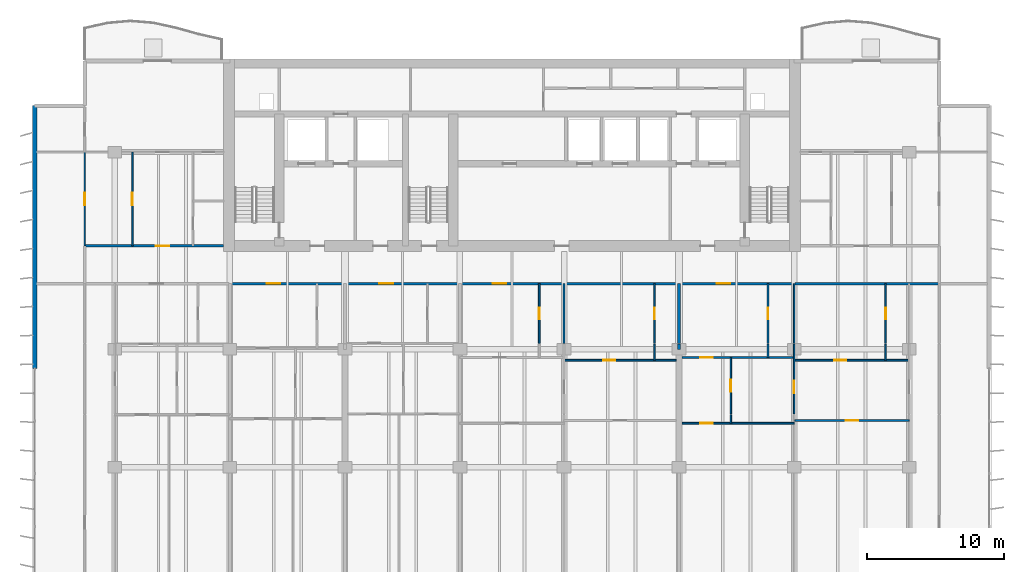
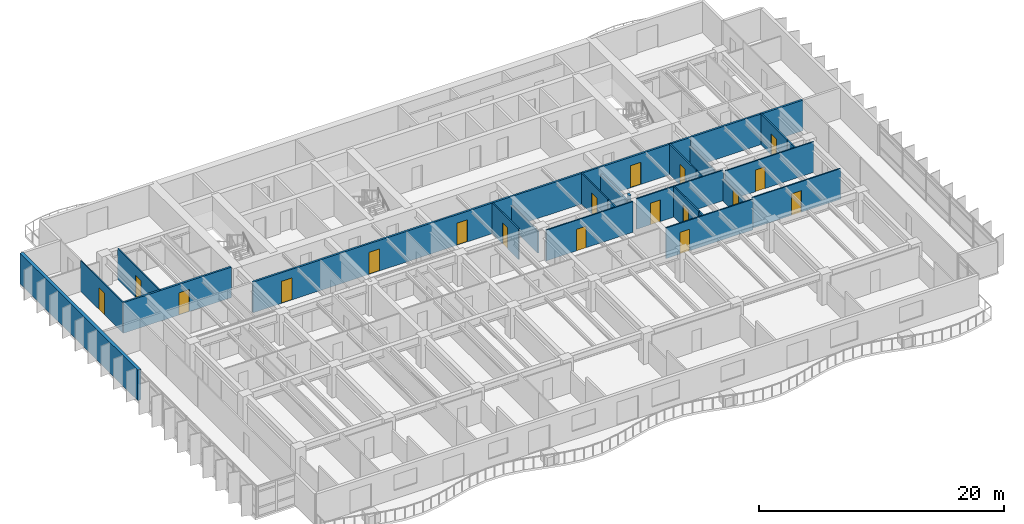
# One storey, part 9 of 16: 25 walls, 18 doors, 18 openings.
"""IFC4 building model written with IfcOpenShell, lengths in metres."""

from ifc_helpers import new_model, si_unit, direction, frame, frame_2d, origin, place, context, subcontext, project, spatial, rectangle, extrude, material, layer, layer_set, type_object, element, fill, save


model = new_model("IFC4")

# Units and contexts
model_context = context("Model", 3, precision=1e-05, world=origin(), true_north=direction((0.0, 1.0)))
body_context = subcontext(model_context, "Body", "Model", "MODEL_VIEW")
ifc_project = project(units=[si_unit("LENGTHUNIT", "METRE"), si_unit("AREAUNIT", "SQUARE_METRE"), si_unit("VOLUMEUNIT", "CUBIC_METRE"), si_unit("PLANEANGLEUNIT", "RADIAN"), si_unit("MASSUNIT", "GRAM", prefix="KILO")], contexts=[model_context])

# Site, building, storey
site_placement = place(None, origin())
site = spatial("IfcSite", under=ifc_project, at=site_placement, CompositionType="ELEMENT")
building_placement = place(site_placement, origin())
building = spatial("IfcBuilding", under=site, at=building_placement, Name="Caelmar Bay Residences", CompositionType="ELEMENT")
storey_placement = place(building_placement, frame((0.0, 0.0, 142.199951171875)))
storey = spatial("IfcBuildingStorey", under=building, at=storey_placement, Name="L39", CompositionType="ELEMENT", Elevation=142.199951171875)

# Wall, openings, doors
ifc_material_1 = material(Name="Double-stud acoustic fire-rated gypsum partition 180 mm")
ifc_layer_1 = layer(ifc_material_1, 0.179931640625)
ifc_layer_set_1 = layer_set([ifc_layer_1], Name="Double-stud acoustic fire-rated gypsum partition 180 mm")
wall_type_1 = type_object("IfcWallType", Name="W-COR-200", PredefinedType="PARTITIONING", material=ifc_layer_set_1)
wall_1_placement = place(storey_placement, frame((18.300048828125, 34.199951171875, 0.0), z_axis=(0.0, 0.0, 1.0), x_axis=(1.0, 0.0, 0.0)))
wall_1 = element("IfcWall", 1, at=wall_1_placement, inside=storey, type_object=wall_type_1, Name="L39 Partition Wall H109", PredefinedType="PARTITIONING", context=body_context, shape_type="SweptSolid", body=[
    extrude(rectangle(XDim=41.199951171875, YDim=0.179931640625, at=frame_2d((20.60009765625, 0.0))), origin(), (0.0, 0.0, 1.0), 3.050048828125),
])
opening_1_placement = place(wall_1_placement, frame((2.68310546875, 0.0, 0.0)))
opening_1 = element("IfcOpeningElement", 2, at=opening_1_placement, cuts=wall_1, Name="Opening D-L39-129", PredefinedType="OPENING", context=body_context, shape_type="SweptSolid", body=[
    extrude(rectangle(XDim=1.0, YDim=2.199951171875, at=frame_2d((0.5, 1.10009765625))), frame((0.0, 0.099853515625, 0.0), z_axis=(0.0, -1.0, 0.0), x_axis=(1.0, 0.0, 0.0)), (0.0, 0.0, 1.0), 0.199951171875),
])
opening_2_placement = place(wall_1_placement, frame((10.9189453125, 0.0, 0.0)))
opening_2 = element("IfcOpeningElement", 3, at=opening_2_placement, cuts=wall_1, Name="Opening D-L39-136", PredefinedType="OPENING", context=body_context, shape_type="SweptSolid", body=[
    extrude(rectangle(XDim=1.0, YDim=2.199951171875, at=frame_2d((0.5, 1.10009765625))), frame((0.0, 0.099853515625, 0.0), z_axis=(0.0, -1.0, 0.0), x_axis=(1.0, 0.0, 0.0)), (0.0, 0.0, 1.0), 0.199951171875),
])
opening_3_placement = place(wall_1_placement, frame((19.1923828125, 0.0, 0.0)))
opening_3 = element("IfcOpeningElement", 4, at=opening_3_placement, cuts=wall_1, Name="Opening D-L39-143", PredefinedType="OPENING", context=body_context, shape_type="SweptSolid", body=[
    extrude(rectangle(XDim=1.0, YDim=2.199951171875, at=frame_2d((0.5, 1.10009765625))), frame((0.0, 0.099853515625, 0.0), z_axis=(0.0, -1.0, 0.0), x_axis=(1.0, 0.0, 0.0)), (0.0, 0.0, 1.0), 0.199951171875),
])
opening_4_placement = place(wall_1_placement, frame((35.54638671875, 0.0, 0.0)))
opening_4 = element("IfcOpeningElement", 5, at=opening_4_placement, cuts=wall_1, Name="Opening D-L39-152", PredefinedType="OPENING", context=body_context, shape_type="SweptSolid", body=[
    extrude(rectangle(XDim=1.0, YDim=2.199951171875, at=frame_2d((0.5, 1.10009765625))), frame((0.0, 0.099853515625, 0.0), z_axis=(0.0, -1.0, 0.0), x_axis=(1.0, 0.0, 0.0)), (0.0, 0.0, 1.0), 0.199951171875),
])
ifc_material_2 = material(Name="Fire-rated steel and walnut architectural door assembly", Category="steel")
ifc_layer_2 = layer(ifc_material_2, 0.050048828125)
ifc_layer_set_2 = layer_set([ifc_layer_2], Name="Fire-rated steel and walnut architectural door assembly")
door_type_1 = type_object("IfcDoorType", Name="D-UNIT-1000", OperationType="NOTDEFINED", PredefinedType="DOOR", material=ifc_layer_set_2)
door_1_placement = place(opening_1_placement, origin())
door_1 = element("IfcDoor", 6, at=door_1_placement, inside=storey, type_object=door_type_1, Name="L39 Residence 02 Apartment Hall Door", OperationType="SINGLE_SWING_LEFT", OverallHeight=2.199951171875, OverallWidth=1.0, PredefinedType="DOOR", context=body_context, shape_type="SweptSolid", body=[
    extrude(rectangle(XDim=1.0, YDim=2.199951171875, at=frame_2d((0.5, 1.10009765625))), frame((0.0, 0.02490234375, 0.0), z_axis=(0.0, -1.0, 0.0), x_axis=(1.0, 0.0, 0.0)), (0.0, 0.0, 1.0), 0.050048828125),
])
fill(opening_1, door_1)
door_2_placement = place(opening_2_placement, origin())
door_2 = element("IfcDoor", 7, at=door_2_placement, inside=storey, type_object=door_type_1, Name="L39 Residence 03 Apartment Hall Door", OperationType="SINGLE_SWING_RIGHT", OverallHeight=2.199951171875, OverallWidth=1.0, PredefinedType="DOOR", context=body_context, shape_type="SweptSolid", body=[
    extrude(rectangle(XDim=1.0, YDim=2.199951171875, at=frame_2d((0.5, 1.10009765625))), frame((0.0, 0.02490234375, 0.0), z_axis=(0.0, -1.0, 0.0), x_axis=(1.0, 0.0, 0.0)), (0.0, 0.0, 1.0), 0.050048828125),
])
fill(opening_2, door_2)
door_3_placement = place(opening_3_placement, origin())
door_3 = element("IfcDoor", 8, at=door_3_placement, inside=storey, type_object=door_type_1, Name="L39 Residence 04 Apartment Hall Door", OperationType="SINGLE_SWING_LEFT", OverallHeight=2.199951171875, OverallWidth=1.0, PredefinedType="DOOR", context=body_context, shape_type="SweptSolid", body=[
    extrude(rectangle(XDim=1.0, YDim=2.199951171875, at=frame_2d((0.5, 1.10009765625))), frame((0.0, 0.02490234375, 0.0), z_axis=(0.0, -1.0, 0.0), x_axis=(1.0, 0.0, 0.0)), (0.0, 0.0, 1.0), 0.050048828125),
])
fill(opening_3, door_3)
door_4_placement = place(opening_4_placement, origin())
door_4 = element("IfcDoor", 9, at=door_4_placement, inside=storey, type_object=door_type_1, Name="L39 Residence 05 Apartment Hall Door", OperationType="SINGLE_SWING_RIGHT", OverallHeight=2.199951171875, OverallWidth=1.0, PredefinedType="DOOR", context=body_context, shape_type="SweptSolid", body=[
    extrude(rectangle(XDim=1.0, YDim=2.199951171875, at=frame_2d((0.5, 1.10009765625))), frame((0.0, 0.02490234375, 0.0), z_axis=(0.0, -1.0, 0.0), x_axis=(1.0, 0.0, 0.0)), (0.0, 0.0, 1.0), 0.050048828125),
])
fill(opening_4, door_4)

# Wall
wall_2_placement = place(storey_placement, frame((59.550048828125, 34.199951171875, 0.0), z_axis=(0.0, 0.0, 1.0), x_axis=(1.0, 0.0, 0.0)))
element("IfcWall", 10, at=wall_2_placement, inside=storey, type_object=wall_type_1, Name="L39 Partition Wall H110", PredefinedType="PARTITIONING", context=body_context, shape_type="SweptSolid", body=[
    extrude(rectangle(XDim=10.550048828125, YDim=0.179931640625, at=frame_2d((5.27490234375, 0.0))), origin(), (0.0, 0.0, 1.0), 3.050048828125),
])

# Wall, opening, door
wall_3_placement = place(storey_placement, frame((7.699951171875, 36.949951171875, 0.0), z_axis=(0.0, 0.0, 1.0), x_axis=(1.0, 0.0, 0.0)))
wall_3 = element("IfcWall", 11, at=wall_3_placement, inside=storey, type_object=wall_type_1, Name="L39 Partition Wall H112", PredefinedType="PARTITIONING", context=body_context, shape_type="SweptSolid", body=[
    extrude(rectangle(XDim=10.14501953125, YDim=0.179931640625, at=frame_2d((5.072509765625, 0.0))), origin(), (0.0, 0.0, 1.0), 3.050048828125),
])
opening_5_placement = place(wall_3_placement, frame((5.18798828125, 0.0, 0.0)))
opening_5 = element("IfcOpeningElement", 12, at=opening_5_placement, cuts=wall_3, Name="Opening D-L39-166", PredefinedType="OPENING", context=body_context, shape_type="SweptSolid", body=[
    extrude(rectangle(XDim=1.0, YDim=2.199951171875, at=frame_2d((0.5, 1.10009765625))), frame((0.0, 0.099853515625, 0.0), z_axis=(0.0, -1.0, 0.0), x_axis=(1.0, 0.0, 0.0)), (0.0, 0.0, 1.0), 0.199951171875),
])
door_5_placement = place(opening_5_placement, origin())
door_5 = element("IfcDoor", 13, at=door_5_placement, inside=storey, type_object=door_type_1, Name="L39 Residence WA Kitchen Door", OperationType="SINGLE_SWING_RIGHT", OverallHeight=2.199951171875, OverallWidth=1.0, PredefinedType="DOOR", context=body_context, shape_type="SweptSolid", body=[
    extrude(rectangle(XDim=1.0, YDim=2.199951171875, at=frame_2d((0.5, 1.10009765625))), frame((0.0, 0.02490234375, 0.0), z_axis=(0.0, -1.0, 0.0), x_axis=(1.0, 0.0, 0.0)), (0.0, 0.0, 1.0), 0.050048828125),
])
fill(opening_5, door_5)

# Wall
ifc_material_3 = material(Name="Precast concrete f'c 40 MPa (6,000 psi)", Category="concrete")
ifc_layer_3 = layer(ifc_material_3, 0.300048828125)
ifc_layer_set_3 = layer_set([ifc_layer_3], Name="Precast concrete f'c 40 MPa (6,000 psi)")
wall_type_2 = type_object("IfcWallType", Name="W-EXT-300", PredefinedType="STANDARD", material=ifc_layer_set_3)
wall_4_placement = place(storey_placement, frame((4.050048828125, 28.0, 0.0), z_axis=(0.0, 0.0, 1.0), x_axis=(0.0, 1.0, 0.0)))
element("IfcWall", 14, at=wall_4_placement, inside=storey, type_object=wall_type_2, Name="L39 West Rear Exterior Wall", PredefinedType="STANDARD", context=body_context, shape_type="SweptSolid", body=[
    extrude(rectangle(XDim=19.199951171875, YDim=0.300048828125, at=frame_2d((9.60009765625, 0.0))), origin(), (0.0, 0.0, 1.0), 3.050048828125),
])

# Wall, opening, door
ifc_material_4 = material(Name="Anodised bronze framed acoustic sliding study partition 100 mm")
ifc_layer_4 = layer(ifc_material_4, 0.10009765625)
ifc_layer_set_4 = layer_set([ifc_layer_4], Name="Anodised bronze framed acoustic sliding study partition 100 mm")
wall_type_3 = type_object("IfcWallType", Name="W-MOV-100", PredefinedType="MOVABLE", material=ifc_layer_set_4)
wall_5_placement = place(storey_placement, frame((7.699951171875, 36.955078125, 0.0), z_axis=(0.0, 0.0, 1.0), x_axis=(0.0, 1.0, 0.0)))
wall_5 = element("IfcWall", 15, at=wall_5_placement, inside=storey, type_object=wall_type_3, Name="L39 Partition Wall V005", PredefinedType="MOVABLE", context=body_context, shape_type="SweptSolid", body=[
    extrude(rectangle(XDim=6.844970703125, YDim=0.10009765625, at=frame_2d((3.42236328125, 0.0))), origin(), (0.0, 0.0, 1.0), 3.050048828125),
])
opening_6_placement = place(wall_5_placement, frame((2.972412109375, 0.0, 0.0)))
opening_6 = element("IfcOpeningElement", 16, at=opening_6_placement, cuts=wall_5, Name="Opening D-L39-170", PredefinedType="OPENING", context=body_context, shape_type="SweptSolid", body=[
    extrude(rectangle(XDim=0.89990234375, YDim=2.14990234375, at=frame_2d((0.449951171875, 1.074951171875))), frame((0.0, 0.06005859375, 0.0), z_axis=(0.0, -1.0, 0.0), x_axis=(1.0, 0.0, 0.0)), (0.0, 0.0, 1.0), 0.1201171875),
])
ifc_material_5 = material(Name="Solid walnut timber interior door leaf and frame", Category="wood")
ifc_layer_5 = layer(ifc_material_5, 0.050048828125)
ifc_layer_set_5 = layer_set([ifc_layer_5], Name="Solid walnut timber interior door leaf and frame")
door_type_2 = type_object("IfcDoorType", Name="D-ROOM-900", OperationType="NOTDEFINED", PredefinedType="DOOR", material=ifc_layer_set_5)
door_6_placement = place(opening_6_placement, origin())
door_6 = element("IfcDoor", 17, at=door_6_placement, inside=storey, type_object=door_type_2, Name="L39 Residence WA Sun Study Door", OperationType="SINGLE_SWING_RIGHT", OverallHeight=2.14990234375, OverallWidth=0.89990234375, PredefinedType="DOOR", context=body_context, shape_type="SweptSolid", body=[
    extrude(rectangle(XDim=0.89990234375, YDim=2.14990234375, at=frame_2d((0.449951171875, 1.074951171875))), frame((0.0, 0.02490234375, 0.0), z_axis=(0.0, -1.0, 0.0), x_axis=(1.0, 0.0, 0.0)), (0.0, 0.0, 1.0), 0.050048828125),
])
fill(opening_6, door_6)

ifc_material_6 = material(Name="Acoustic metal-stud gypsum partition 120 mm")
ifc_layer_6 = layer(ifc_material_6, 0.1201171875)
ifc_layer_set_6 = layer_set([ifc_layer_6], Name="Acoustic metal-stud gypsum partition 120 mm")
wall_type_4 = type_object("IfcWallType", Name="W-PRT-120", PredefinedType="PARTITIONING", material=ifc_layer_set_6)
wall_6_placement = place(storey_placement, frame((11.176025390625, 36.949951171875, 0.0), z_axis=(0.0, 0.0, 1.0), x_axis=(0.0, 1.0, 0.0)))
wall_6 = element("IfcWall", 18, at=wall_6_placement, inside=storey, type_object=wall_type_4, Name="L39 Partition Wall V011", PredefinedType="PARTITIONING", context=body_context, shape_type="SweptSolid", body=[
    extrude(rectangle(XDim=6.85009765625, YDim=0.1201171875, at=frame_2d((3.425048828125, 0.0))), origin(), (0.0, 0.0, 1.0), 3.050048828125),
])
opening_7_placement = place(wall_6_placement, frame((2.97509765625, 0.0, 0.0)))
opening_7 = element("IfcOpeningElement", 19, at=opening_7_placement, cuts=wall_6, Name="Opening D-L39-165", PredefinedType="OPENING", context=body_context, shape_type="SweptSolid", body=[
    extrude(rectangle(XDim=0.89990234375, YDim=2.14990234375, at=frame_2d((0.449951171875, 1.074951171875))), frame((0.0, 0.070068359375, 0.0), z_axis=(0.0, -1.0, 0.0), x_axis=(1.0, 0.0, 0.0)), (0.0, 0.0, 1.0), 0.14013671875),
])
door_7_placement = place(opening_7_placement, origin())
door_7 = element("IfcDoor", 20, at=door_7_placement, inside=storey, type_object=door_type_2, Name="L39 Residence WA Dining Room Door", OperationType="SINGLE_SWING_LEFT", OverallHeight=2.14990234375, OverallWidth=0.89990234375, PredefinedType="DOOR", context=body_context, shape_type="SweptSolid", body=[
    extrude(rectangle(XDim=0.89990234375, YDim=2.14990234375, at=frame_2d((0.449951171875, 1.074951171875))), frame((0.0, 0.02490234375, 0.0), z_axis=(0.0, -1.0, 0.0), x_axis=(1.0, 0.0, 0.0)), (0.0, 0.0, 1.0), 0.050048828125),
])
fill(opening_7, door_7)

wall_7_placement = place(storey_placement, frame((40.885009765625, 29.840087890625, 0.0), z_axis=(0.0, 0.0, 1.0), x_axis=(0.0, 1.0, 0.0)))
wall_7 = element("IfcWall", 21, at=wall_7_placement, inside=storey, type_object=wall_type_4, Name="L39 Partition Wall V045", PredefinedType="PARTITIONING", context=body_context, shape_type="SweptSolid", body=[
    extrude(rectangle(XDim=4.35986328125, YDim=0.1201171875, at=frame_2d((2.179931640625, 0.0))), origin(), (0.0, 0.0, 1.0), 3.050048828125),
])
opening_8_placement = place(wall_7_placement, frame((1.7548828125, 0.0, 0.0)))
opening_8 = element("IfcOpeningElement", 22, at=opening_8_placement, cuts=wall_7, Name="Opening D-L39-144", PredefinedType="OPENING", context=body_context, shape_type="SweptSolid", body=[
    extrude(rectangle(XDim=0.85009765625, YDim=2.10009765625, at=frame_2d((0.425048828125, 1.050048828125))), frame((0.0, 0.070068359375, 0.0), z_axis=(0.0, -1.0, 0.0), x_axis=(1.0, 0.0, 0.0)), (0.0, 0.0, 1.0), 0.14013671875),
])
ifc_layer_7 = layer(ifc_material_5, 0.050048828125)
ifc_layer_set_7 = layer_set([ifc_layer_7], Name="Solid walnut timber interior door leaf and frame")
door_type_3 = type_object("IfcDoorType", Name="D-BATH-850", OperationType="NOTDEFINED", PredefinedType="DOOR", material=ifc_layer_set_7)
door_8_placement = place(opening_8_placement, origin())
door_8 = element("IfcDoor", 23, at=door_8_placement, inside=storey, type_object=door_type_3, Name="L39 Residence 04 Guest Bathroom Door", OperationType="SINGLE_SWING_RIGHT", OverallHeight=2.10009765625, OverallWidth=0.85009765625, PredefinedType="DOOR", context=body_context, shape_type="SweptSolid", body=[
    extrude(rectangle(XDim=0.85009765625, YDim=2.10009765625, at=frame_2d((0.425048828125, 1.050048828125))), frame((0.0, 0.02490234375, 0.0), z_axis=(0.0, -1.0, 0.0), x_axis=(1.0, 0.0, 0.0)), (0.0, 0.0, 1.0), 0.050048828125),
])
fill(opening_8, door_8)

# Walls
wall_8_placement = place(storey_placement, frame((42.699951171875, 29.840087890625, 0.0), z_axis=(0.0, 0.0, 1.0), x_axis=(0.0, 1.0, 0.0)))
element("IfcWall", 24, at=wall_8_placement, inside=storey, type_object=wall_type_4, Name="L39 Partition Wall V050", PredefinedType="PARTITIONING", context=body_context, shape_type="SweptSolid", body=[
    extrude(rectangle(XDim=4.35986328125, YDim=0.1201171875, at=frame_2d((2.179931640625, 0.0))), origin(), (0.0, 0.0, 1.0), 2.174072265625),
])
wall_9_placement = place(storey_placement, frame((49.2958984375, 28.60009765625, 0.0), z_axis=(0.0, 0.0, 1.0), x_axis=(0.0, 1.0, 0.0)))
element("IfcWall", 25, at=wall_9_placement, inside=storey, type_object=wall_type_4, Name="L39 Partition Wall V055", PredefinedType="PARTITIONING", context=body_context, shape_type="SweptSolid", body=[
    extrude(rectangle(XDim=1.179931640625, YDim=0.1201171875, at=frame_2d((0.58984375, 0.0))), origin(), (0.0, 0.0, 1.0), 3.050048828125),
])

# Wall, opening, door
wall_10_placement = place(storey_placement, frame((49.2958984375, 29.840087890625, 0.0), z_axis=(0.0, 0.0, 1.0), x_axis=(0.0, 1.0, 0.0)))
wall_10 = element("IfcWall", 26, at=wall_10_placement, inside=storey, type_object=wall_type_4, Name="L39 Partition Wall V056", PredefinedType="PARTITIONING", context=body_context, shape_type="SweptSolid", body=[
    extrude(rectangle(XDim=4.35986328125, YDim=0.1201171875, at=frame_2d((2.179931640625, 0.0))), origin(), (0.0, 0.0, 1.0), 3.050048828125),
])
opening_9_placement = place(wall_10_placement, frame((1.7548828125, 0.0, 0.0)))
opening_9 = element("IfcOpeningElement", 27, at=opening_9_placement, cuts=wall_10, Name="Opening D-L39-149", PredefinedType="OPENING", context=body_context, shape_type="SweptSolid", body=[
    extrude(rectangle(XDim=0.85009765625, YDim=2.10009765625, at=frame_2d((0.425048828125, 1.050048828125))), frame((0.0, 0.070068359375, 0.0), z_axis=(0.0, -1.0, 0.0), x_axis=(1.0, 0.0, 0.0)), (0.0, 0.0, 1.0), 0.14013671875),
])
door_9_placement = place(opening_9_placement, origin())
door_9 = element("IfcDoor", 28, at=door_9_placement, inside=storey, type_object=door_type_3, Name="L39 Residence 04 En-Suite Bathroom 1 Door", OperationType="SINGLE_SWING_LEFT", OverallHeight=2.10009765625, OverallWidth=0.85009765625, PredefinedType="DOOR", context=body_context, shape_type="SweptSolid", body=[
    extrude(rectangle(XDim=0.85009765625, YDim=2.10009765625, at=frame_2d((0.425048828125, 1.050048828125))), frame((0.0, 0.02490234375, 0.0), z_axis=(0.0, -1.0, 0.0), x_axis=(1.0, 0.0, 0.0)), (0.0, 0.0, 1.0), 0.050048828125),
])
fill(opening_9, door_9)

# Wall
wall_11_placement = place(storey_placement, frame((54.8798828125, 24.0, 0.0), z_axis=(0.0, 0.0, 1.0), x_axis=(0.0, 1.0, 0.0)))
element("IfcWall", 29, at=wall_11_placement, inside=storey, type_object=wall_type_4, Name="L39 Partition Wall V065", PredefinedType="PARTITIONING", context=body_context, shape_type="SweptSolid", body=[
    extrude(rectangle(XDim=0.6298828125, YDim=0.1201171875, at=frame_2d((0.31494140625, 0.0))), origin(), (0.0, 0.0, 1.0), 3.050048828125),
])

# Wall, opening, door
wall_12_placement = place(storey_placement, frame((54.8798828125, 24.68994140625, 0.0), z_axis=(0.0, 0.0, 1.0), x_axis=(0.0, 1.0, 0.0)))
wall_12 = element("IfcWall", 30, at=wall_12_placement, inside=storey, type_object=wall_type_4, Name="L39 Partition Wall V066", PredefinedType="PARTITIONING", context=body_context, shape_type="SweptSolid", body=[
    extrude(rectangle(XDim=4.110107421875, YDim=0.1201171875, at=frame_2d((2.05517578125, 0.0))), origin(), (0.0, 0.0, 1.0), 3.050048828125),
])
opening_10_placement = place(wall_12_placement, frame((1.60498046875, 0.0, 0.0)))
opening_10 = element("IfcOpeningElement", 31, at=opening_10_placement, cuts=wall_12, Name="Opening D-L39-155", PredefinedType="OPENING", context=body_context, shape_type="SweptSolid", body=[
    extrude(rectangle(XDim=0.89990234375, YDim=2.14990234375, at=frame_2d((0.449951171875, 1.074951171875))), frame((0.0, 0.070068359375, 0.0), z_axis=(0.0, -1.0, 0.0), x_axis=(1.0, 0.0, 0.0)), (0.0, 0.0, 1.0), 0.14013671875),
])
door_10_placement = place(opening_10_placement, origin())
door_10 = element("IfcDoor", 32, at=door_10_placement, inside=storey, type_object=door_type_2, Name="L39 Residence 05 Kitchen Door", OperationType="SINGLE_SWING_LEFT", OverallHeight=2.14990234375, OverallWidth=0.89990234375, PredefinedType="DOOR", context=body_context, shape_type="SweptSolid", body=[
    extrude(rectangle(XDim=0.89990234375, YDim=2.14990234375, at=frame_2d((0.449951171875, 1.074951171875))), frame((0.0, 0.02490234375, 0.0), z_axis=(0.0, -1.0, 0.0), x_axis=(1.0, 0.0, 0.0)), (0.0, 0.0, 1.0), 0.050048828125),
])
fill(opening_10, door_10)

# Wall
wall_13_placement = place(storey_placement, frame((57.593017578125, 28.800048828125, 0.0), z_axis=(0.0, 0.0, 1.0), x_axis=(0.0, 1.0, 0.0)))
element("IfcWall", 33, at=wall_13_placement, inside=storey, type_object=wall_type_4, Name="L39 Partition Wall V068", PredefinedType="PARTITIONING", context=body_context, shape_type="SweptSolid", body=[
    extrude(rectangle(XDim=0.97998046875, YDim=0.1201171875, at=frame_2d((0.489990234375, 0.0))), origin(), (0.0, 0.0, 1.0), 3.050048828125),
])

# Wall, opening, door
wall_14_placement = place(storey_placement, frame((57.593017578125, 29.840087890625, 0.0), z_axis=(0.0, 0.0, 1.0), x_axis=(0.0, 1.0, 0.0)))
wall_14 = element("IfcWall", 34, at=wall_14_placement, inside=storey, type_object=wall_type_4, Name="L39 Partition Wall V069", PredefinedType="PARTITIONING", context=body_context, shape_type="SweptSolid", body=[
    extrude(rectangle(XDim=4.35986328125, YDim=0.1201171875, at=frame_2d((2.179931640625, 0.0))), origin(), (0.0, 0.0, 1.0), 3.050048828125),
])
opening_11_placement = place(wall_14_placement, frame((1.7548828125, 0.0, 0.0)))
opening_11 = element("IfcOpeningElement", 35, at=opening_11_placement, cuts=wall_14, Name="Opening D-L39-153", PredefinedType="OPENING", context=body_context, shape_type="SweptSolid", body=[
    extrude(rectangle(XDim=0.85009765625, YDim=2.10009765625, at=frame_2d((0.425048828125, 1.050048828125))), frame((0.0, 0.070068359375, 0.0), z_axis=(0.0, -1.0, 0.0), x_axis=(1.0, 0.0, 0.0)), (0.0, 0.0, 1.0), 0.14013671875),
])
door_11_placement = place(opening_11_placement, origin())
door_11 = element("IfcDoor", 36, at=door_11_placement, inside=storey, type_object=door_type_3, Name="L39 Residence 05 Guest Bathroom Door", OperationType="SINGLE_SWING_LEFT", OverallHeight=2.10009765625, OverallWidth=0.85009765625, PredefinedType="DOOR", context=body_context, shape_type="SweptSolid", body=[
    extrude(rectangle(XDim=0.85009765625, YDim=2.10009765625, at=frame_2d((0.425048828125, 1.050048828125))), frame((0.0, 0.02490234375, 0.0), z_axis=(0.0, -1.0, 0.0), x_axis=(1.0, 0.0, 0.0)), (0.0, 0.0, 1.0), 0.050048828125),
])
fill(opening_11, door_11)

wall_15_placement = place(storey_placement, frame((59.5, 24.68994140625, 0.0), z_axis=(0.0, 0.0, 1.0), x_axis=(0.0, 1.0, 0.0)))
wall_15 = element("IfcWall", 37, at=wall_15_placement, inside=storey, type_object=wall_type_4, Name="L39 Partition Wall V072", PredefinedType="PARTITIONING", context=body_context, shape_type="SweptSolid", body=[
    extrude(rectangle(XDim=5.090087890625, YDim=0.1201171875, at=frame_2d((2.544921875, 0.0))), origin(), (0.0, 0.0, 1.0), 2.174072265625),
])
opening_12_placement = place(wall_15_placement, frame((1.5048828125, 0.0, 0.0)))
opening_12 = element("IfcOpeningElement", 38, at=opening_12_placement, cuts=wall_15, Name="Opening D-L39-157", PredefinedType="OPENING", context=body_context, shape_type="SweptSolid", body=[
    extrude(rectangle(XDim=0.89990234375, YDim=2.1240234375, at=frame_2d((0.449951171875, 1.06201171875))), frame((0.0, 0.070068359375, 0.0), z_axis=(0.0, -1.0, 0.0), x_axis=(1.0, 0.0, 0.0)), (0.0, 0.0, 1.0), 0.14013671875),
])
door_12_placement = place(opening_12_placement, origin())
door_12 = element("IfcDoor", 39, at=door_12_placement, inside=storey, type_object=door_type_2, Name="L39 Residence 05 Atelier Office 1 Door", OperationType="SINGLE_SWING_LEFT", OverallHeight=2.1240234375, OverallWidth=0.89990234375, PredefinedType="DOOR", context=body_context, shape_type="SweptSolid", body=[
    extrude(rectangle(XDim=0.89990234375, YDim=2.1240234375, at=frame_2d((0.449951171875, 1.06201171875))), frame((0.0, 0.02490234375, 0.0), z_axis=(0.0, -1.0, 0.0), x_axis=(1.0, 0.0, 0.0)), (0.0, 0.0, 1.0), 0.050048828125),
])
fill(opening_12, door_12)

# Walls
wall_16_placement = place(storey_placement, frame((59.5, 29.840087890625, 0.0), z_axis=(0.0, 0.0, 1.0), x_axis=(0.0, 1.0, 0.0)))
element("IfcWall", 40, at=wall_16_placement, inside=storey, type_object=wall_type_4, Name="L39 Partition Wall V073", PredefinedType="PARTITIONING", context=body_context, shape_type="SweptSolid", body=[
    extrude(rectangle(XDim=4.35986328125, YDim=0.1201171875, at=frame_2d((2.179931640625, 0.0))), origin(), (0.0, 0.0, 1.0), 2.174072265625),
])
wall_17_placement = place(storey_placement, frame((66.18603515625, 28.60009765625, 0.0), z_axis=(0.0, 0.0, 1.0), x_axis=(0.0, 1.0, 0.0)))
element("IfcWall", 41, at=wall_17_placement, inside=storey, type_object=wall_type_4, Name="L39 Partition Wall V075", PredefinedType="PARTITIONING", context=body_context, shape_type="SweptSolid", body=[
    extrude(rectangle(XDim=1.179931640625, YDim=0.1201171875, at=frame_2d((0.58984375, 0.0))), origin(), (0.0, 0.0, 1.0), 3.050048828125),
])

# Wall, opening, door
wall_18_placement = place(storey_placement, frame((66.18603515625, 29.840087890625, 0.0), z_axis=(0.0, 0.0, 1.0), x_axis=(0.0, 1.0, 0.0)))
wall_18 = element("IfcWall", 42, at=wall_18_placement, inside=storey, type_object=wall_type_4, Name="L39 Partition Wall V076", PredefinedType="PARTITIONING", context=body_context, shape_type="SweptSolid", body=[
    extrude(rectangle(XDim=4.35986328125, YDim=0.1201171875, at=frame_2d((2.179931640625, 0.0))), origin(), (0.0, 0.0, 1.0), 3.050048828125),
])
opening_13_placement = place(wall_18_placement, frame((1.7548828125, 0.0, 0.0)))
opening_13 = element("IfcOpeningElement", 43, at=opening_13_placement, cuts=wall_18, Name="Opening D-L39-159", PredefinedType="OPENING", context=body_context, shape_type="SweptSolid", body=[
    extrude(rectangle(XDim=0.85009765625, YDim=2.10009765625, at=frame_2d((0.425048828125, 1.050048828125))), frame((0.0, 0.070068359375, 0.0), z_axis=(0.0, -1.0, 0.0), x_axis=(1.0, 0.0, 0.0)), (0.0, 0.0, 1.0), 0.14013671875),
])
door_13_placement = place(opening_13_placement, origin())
door_13 = element("IfcDoor", 44, at=door_13_placement, inside=storey, type_object=door_type_3, Name="L39 Residence 05 En-Suite Bathroom 1 Door", OperationType="SINGLE_SWING_LEFT", OverallHeight=2.10009765625, OverallWidth=0.85009765625, PredefinedType="DOOR", context=body_context, shape_type="SweptSolid", body=[
    extrude(rectangle(XDim=0.85009765625, YDim=2.10009765625, at=frame_2d((0.425048828125, 1.050048828125))), frame((0.0, 0.02490234375, 0.0), z_axis=(0.0, -1.0, 0.0), x_axis=(1.0, 0.0, 0.0)), (0.0, 0.0, 1.0), 0.050048828125),
])
fill(opening_13, door_13)

wall_19_placement = place(storey_placement, frame((51.320068359375, 24.0, 0.0), z_axis=(0.0, 0.0, 1.0), x_axis=(1.0, 0.0, 0.0)))
wall_19 = element("IfcWall", 45, at=wall_19_placement, inside=storey, type_object=wall_type_4, Name="L39 Partition Wall H094", PredefinedType="PARTITIONING", context=body_context, shape_type="SweptSolid", body=[
    extrude(rectangle(XDim=8.179931640625, YDim=0.1201171875, at=frame_2d((4.08984375, 0.0))), origin(), (0.0, 0.0, 1.0), 3.050048828125),
])
opening_14_placement = place(wall_19_placement, frame((1.330078125, 0.0, 0.0)))
opening_14 = element("IfcOpeningElement", 46, at=opening_14_placement, cuts=wall_19, Name="Opening D-L39-156", PredefinedType="OPENING", context=body_context, shape_type="SweptSolid", body=[
    extrude(rectangle(XDim=0.89990234375, YDim=2.14990234375, at=frame_2d((0.449951171875, 1.074951171875))), frame((0.0, 0.070068359375, 0.0), z_axis=(0.0, -1.0, 0.0), x_axis=(1.0, 0.0, 0.0)), (0.0, 0.0, 1.0), 0.14013671875),
])
door_14_placement = place(opening_14_placement, origin())
door_14 = element("IfcDoor", 47, at=door_14_placement, inside=storey, type_object=door_type_2, Name="L39 Residence 05 Penthouse Living Salon Door", OperationType="SINGLE_SWING_RIGHT", OverallHeight=2.14990234375, OverallWidth=0.89990234375, PredefinedType="DOOR", context=body_context, shape_type="SweptSolid", body=[
    extrude(rectangle(XDim=0.89990234375, YDim=2.14990234375, at=frame_2d((0.449951171875, 1.074951171875))), frame((0.0, 0.02490234375, 0.0), z_axis=(0.0, -1.0, 0.0), x_axis=(1.0, 0.0, 0.0)), (0.0, 0.0, 1.0), 0.050048828125),
])
fill(opening_14, door_14)

wall_20_placement = place(storey_placement, frame((59.550048828125, 24.199951171875, 0.0), z_axis=(0.0, 0.0, 1.0), x_axis=(1.0, 0.0, 0.0)))
wall_20 = element("IfcWall", 48, at=wall_20_placement, inside=storey, type_object=wall_type_4, Name="L39 Partition Wall H096", PredefinedType="PARTITIONING", context=body_context, shape_type="SweptSolid", body=[
    extrude(rectangle(XDim=8.349853515625, YDim=0.1201171875, at=frame_2d((4.1748046875, 0.0))), origin(), (0.0, 0.0, 1.0), 3.050048828125),
])
opening_15_placement = place(wall_20_placement, frame((3.72509765625, 0.0, 0.0)))
opening_15 = element("IfcOpeningElement", 49, at=opening_15_placement, cuts=wall_20, Name="Opening D-L39-160", PredefinedType="OPENING", context=body_context, shape_type="SweptSolid", body=[
    extrude(rectangle(XDim=0.89990234375, YDim=2.14990234375, at=frame_2d((0.449951171875, 1.074951171875))), frame((0.0, 0.070068359375, 0.0), z_axis=(0.0, -1.0, 0.0), x_axis=(1.0, 0.0, 0.0)), (0.0, 0.0, 1.0), 0.14013671875),
])
door_15_placement = place(opening_15_placement, origin())
door_15 = element("IfcDoor", 50, at=door_15_placement, inside=storey, type_object=door_type_2, Name="L39 Residence 05 Penthouse Sitting Salon 1 Door", OperationType="SINGLE_SWING_RIGHT", OverallHeight=2.14990234375, OverallWidth=0.89990234375, PredefinedType="DOOR", context=body_context, shape_type="SweptSolid", body=[
    extrude(rectangle(XDim=0.89990234375, YDim=2.14990234375, at=frame_2d((0.449951171875, 1.074951171875))), frame((0.0, 0.02490234375, 0.0), z_axis=(0.0, -1.0, 0.0), x_axis=(1.0, 0.0, 0.0)), (0.0, 0.0, 1.0), 0.050048828125),
])
fill(opening_15, door_15)

wall_21_placement = place(storey_placement, frame((42.699951171875, 28.60009765625, 0.0), z_axis=(0.0, 0.0, 1.0), x_axis=(1.0, 0.0, 0.0)))
wall_21 = element("IfcWall", 51, at=wall_21_placement, inside=storey, type_object=wall_type_4, Name="L39 Partition Wall H100", PredefinedType="PARTITIONING", context=body_context, shape_type="SweptSolid", body=[
    extrude(rectangle(XDim=8.179931640625, YDim=0.1201171875, at=frame_2d((4.08984375, 0.0))), origin(), (0.0, 0.0, 1.0), 3.050048828125),
])
opening_16_placement = place(wall_21_placement, frame((2.847900390625, 0.0, 0.0)))
opening_16 = element("IfcOpeningElement", 52, at=opening_16_placement, cuts=wall_21, Name="Opening D-L39-148", PredefinedType="OPENING", context=body_context, shape_type="SweptSolid", body=[
    extrude(rectangle(XDim=0.89990234375, YDim=2.14990234375, at=frame_2d((0.449951171875, 1.074951171875))), frame((0.0, 0.070068359375, 0.0), z_axis=(0.0, -1.0, 0.0), x_axis=(1.0, 0.0, 0.0)), (0.0, 0.0, 1.0), 0.14013671875),
])
door_16_placement = place(opening_16_placement, origin())
door_16 = element("IfcDoor", 53, at=door_16_placement, inside=storey, type_object=door_type_2, Name="L39 Residence 04 Executive Workroom 1 Door", OperationType="SINGLE_SWING_RIGHT", OverallHeight=2.14990234375, OverallWidth=0.89990234375, PredefinedType="DOOR", context=body_context, shape_type="SweptSolid", body=[
    extrude(rectangle(XDim=0.89990234375, YDim=2.14990234375, at=frame_2d((0.449951171875, 1.074951171875))), frame((0.0, 0.02490234375, 0.0), z_axis=(0.0, -1.0, 0.0), x_axis=(1.0, 0.0, 0.0)), (0.0, 0.0, 1.0), 0.050048828125),
])
fill(opening_16, door_16)

wall_22_placement = place(storey_placement, frame((59.550048828125, 28.60009765625, 0.0), z_axis=(0.0, 0.0, 1.0), x_axis=(1.0, 0.0, 0.0)))
wall_22 = element("IfcWall", 54, at=wall_22_placement, inside=storey, type_object=wall_type_4, Name="L39 Partition Wall H101", PredefinedType="PARTITIONING", context=body_context, shape_type="SweptSolid", body=[
    extrude(rectangle(XDim=8.349853515625, YDim=0.1201171875, at=frame_2d((4.1748046875, 0.0))), origin(), (0.0, 0.0, 1.0), 3.050048828125),
])
opening_17_placement = place(wall_22_placement, frame((2.867919921875, 0.0, 0.0)))
opening_17 = element("IfcOpeningElement", 55, at=opening_17_placement, cuts=wall_22, Name="Opening D-L39-158", PredefinedType="OPENING", context=body_context, shape_type="SweptSolid", body=[
    extrude(rectangle(XDim=0.89990234375, YDim=2.14990234375, at=frame_2d((0.449951171875, 1.074951171875))), frame((0.0, 0.070068359375, 0.0), z_axis=(0.0, -1.0, 0.0), x_axis=(1.0, 0.0, 0.0)), (0.0, 0.0, 1.0), 0.14013671875),
])
door_17_placement = place(opening_17_placement, origin())
door_17 = element("IfcDoor", 56, at=door_17_placement, inside=storey, type_object=door_type_2, Name="L39 Residence 05 Executive Workroom 1 Door", OperationType="SINGLE_SWING_RIGHT", OverallHeight=2.14990234375, OverallWidth=0.89990234375, PredefinedType="DOOR", context=body_context, shape_type="SweptSolid", body=[
    extrude(rectangle(XDim=0.89990234375, YDim=2.14990234375, at=frame_2d((0.449951171875, 1.074951171875))), frame((0.0, 0.02490234375, 0.0), z_axis=(0.0, -1.0, 0.0), x_axis=(1.0, 0.0, 0.0)), (0.0, 0.0, 1.0), 0.050048828125),
])
fill(opening_17, door_17)

wall_23_placement = place(storey_placement, frame((51.320068359375, 28.800048828125, 0.0), z_axis=(0.0, 0.0, 1.0), x_axis=(1.0, 0.0, 0.0)))
wall_23 = element("IfcWall", 57, at=wall_23_placement, inside=storey, type_object=wall_type_4, Name="L39 Partition Wall H103", PredefinedType="PARTITIONING", context=body_context, shape_type="SweptSolid", body=[
    extrude(rectangle(XDim=8.179931640625, YDim=0.1201171875, at=frame_2d((4.08984375, 0.0))), origin(), (0.0, 0.0, 1.0), 3.050048828125),
])
opening_18_placement = place(wall_23_placement, frame((1.330078125, 0.0, 0.0)))
opening_18 = element("IfcOpeningElement", 58, at=opening_18_placement, cuts=wall_23, Name="Opening D-L39-154", PredefinedType="OPENING", context=body_context, shape_type="SweptSolid", body=[
    extrude(rectangle(XDim=0.89990234375, YDim=2.14990234375, at=frame_2d((0.449951171875, 1.074951171875))), frame((0.0, 0.070068359375, 0.0), z_axis=(0.0, -1.0, 0.0), x_axis=(1.0, 0.0, 0.0)), (0.0, 0.0, 1.0), 0.14013671875),
])
door_18_placement = place(opening_18_placement, origin())
door_18 = element("IfcDoor", 59, at=door_18_placement, inside=storey, type_object=door_type_2, Name="L39 Residence 05 Dining Room Door", OperationType="SINGLE_SWING_RIGHT", OverallHeight=2.14990234375, OverallWidth=0.89990234375, PredefinedType="DOOR", context=body_context, shape_type="SweptSolid", body=[
    extrude(rectangle(XDim=0.89990234375, YDim=2.14990234375, at=frame_2d((0.449951171875, 1.074951171875))), frame((0.0, 0.02490234375, 0.0), z_axis=(0.0, -1.0, 0.0), x_axis=(1.0, 0.0, 0.0)), (0.0, 0.0, 1.0), 0.050048828125),
])
fill(opening_18, door_18)

# Walls
ifc_material_7 = material(Name="Acoustic twin-stud fire-rated inter-tenancy partition 200 mm")
ifc_layer_8 = layer(ifc_material_7, 0.199951171875)
ifc_layer_set_8 = layer_set([ifc_layer_8], Name="Acoustic twin-stud fire-rated inter-tenancy partition 200 mm")
wall_type_5 = type_object("IfcWallType", Name="W-PTY-200", PredefinedType="PARTITIONING", material=ifc_layer_set_8)
wall_24_placement = place(storey_placement, frame((51.10009765625, 29.405029296875, 0.0), z_axis=(0.0, 0.0, 1.0), x_axis=(0.0, 1.0, 0.0)))
element("IfcWall", 60, at=wall_24_placement, inside=storey, type_object=wall_type_5, Name="L39 Partition Wall V062", PredefinedType="PARTITIONING", context=body_context, shape_type="SweptSolid", body=[
    extrude(rectangle(XDim=0.375, YDim=0.199951171875, at=frame_2d((0.1875, 0.0))), origin(), (0.0, 0.0, 1.0), 3.050048828125),
])
wall_25_placement = place(storey_placement, frame((51.10009765625, 29.840087890625, 0.0), z_axis=(0.0, 0.0, 1.0), x_axis=(0.0, 1.0, 0.0)))
element("IfcWall", 61, at=wall_25_placement, inside=storey, type_object=wall_type_5, Name="L39 Partition Wall V063", PredefinedType="PARTITIONING", context=body_context, shape_type="SweptSolid", body=[
    extrude(rectangle(XDim=4.35986328125, YDim=0.199951171875, at=frame_2d((2.179931640625, 0.0))), origin(), (0.0, 0.0, 1.0), 2.3349609375),
])

save(model, "model.ifc")
